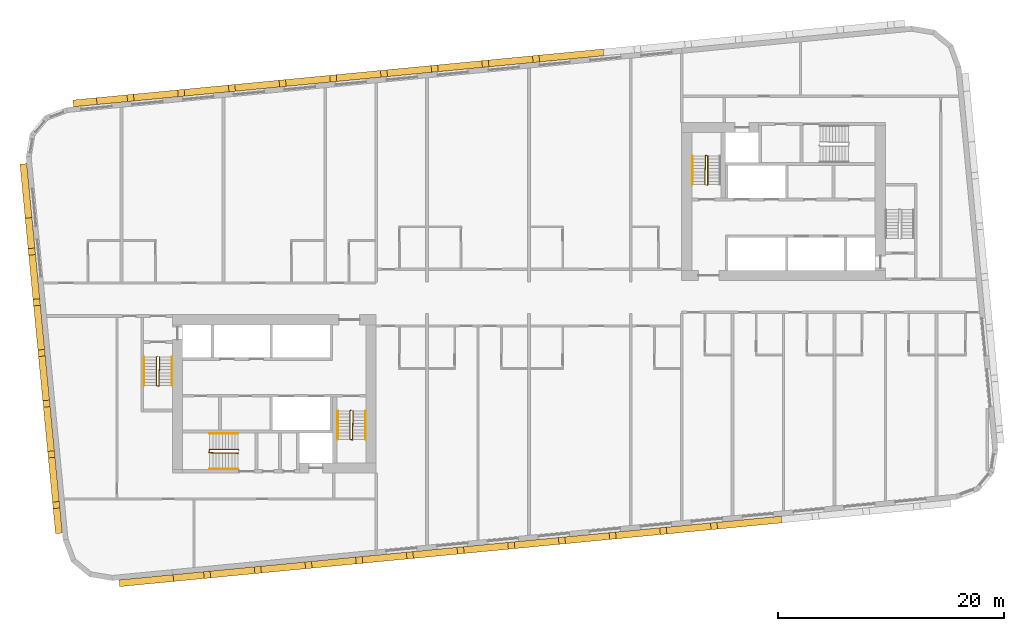
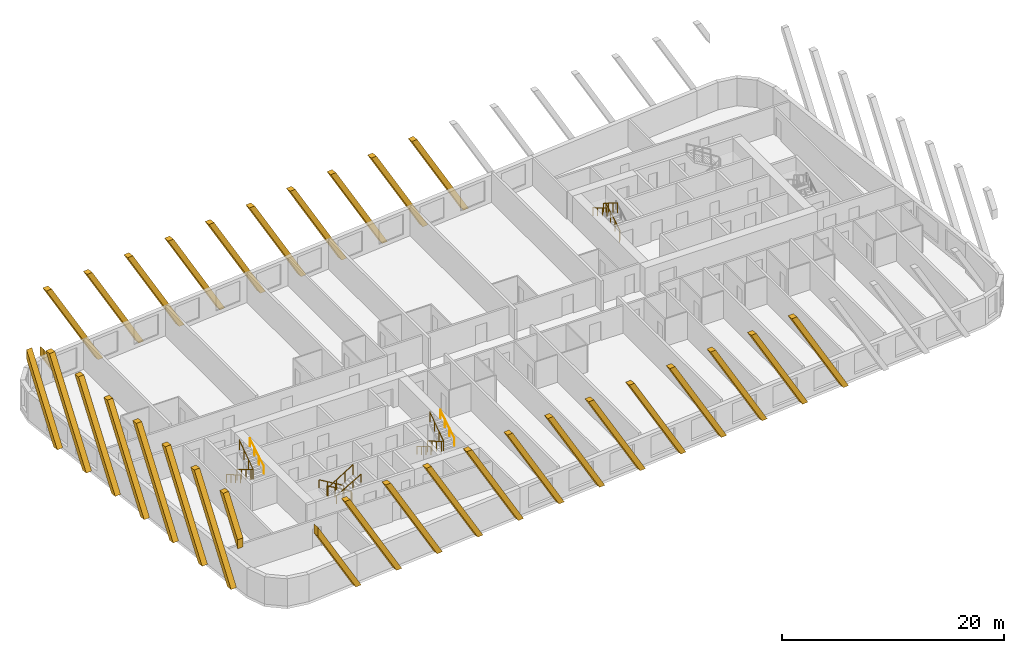
# One storey, part 12 of 13: 32 coverings, 11 railings.
"""IFC4 building model written with IfcOpenShell, lengths in metres."""

from ifc_helpers import new_model, si_unit, direction, frame, origin, origin_2d, place, context, subcontext, project, spatial, polyline, rectangle, circle, outline, extrude, material, material_profile, profile_set, type_object, element, save


model = new_model("IFC4")

# Units and contexts
model_context = context("Model", 3, precision=1e-05, world=origin(), true_north=direction((0.0, 1.0)))
body_context = subcontext(model_context, "Body", "Model", "MODEL_VIEW")
ifc_project = project(units=[si_unit("LENGTHUNIT", "METRE"), si_unit("AREAUNIT", "SQUARE_METRE"), si_unit("VOLUMEUNIT", "CUBIC_METRE"), si_unit("PLANEANGLEUNIT", "RADIAN"), si_unit("MASSUNIT", "GRAM", prefix="KILO")], contexts=[model_context])

# Site, building, storey
site_placement = place(None, origin())
site = spatial("IfcSite", under=ifc_project, at=site_placement, CompositionType="ELEMENT")
building_placement = place(site_placement, origin())
building = spatial("IfcBuilding", under=site, at=building_placement, Name="Kajstack Hotel Tower", CompositionType="ELEMENT")
storey_placement = place(building_placement, frame((0.0, 0.0, 186.699951171875)))
storey = spatial("IfcBuildingStorey", under=building, at=storey_placement, Name="L44", CompositionType="ELEMENT", Elevation=186.699951171875)

# Coverings
ifc_material_1 = material(Name="Terracotta", Category="masonry")
ifc_material_profile = material_profile(ifc_material_1, rectangle(XDim=0.60009765625, YDim=0.5, at=origin_2d()), Name="Terracotta-clad concrete baguette 500 x 600")
ifc_profile_set = profile_set([ifc_material_profile], Name="Terracotta")
covering_type = type_object("IfcCoveringType", Name="BAGUETTE 500x600", PredefinedType="CLADDING", material=ifc_profile_set)
covering_1_placement = place(storey_placement, frame((-44.380859375, 11.846923828125, 0.0), z_axis=(-0.995377661201, -0.096038073607, 0.0), x_axis=(0.096038073607, -0.995377661201, 0.0)))
element("IfcCovering", 1, at=covering_1_placement, inside=storey, type_object=covering_type, Name="Baguette L44-00-002", PredefinedType="CLADDING", context=body_context, shape_type="SweptSolid", body=[
    extrude(outline(polyline([(4.78857421875, 0.0), (0.0, 8.294189453125), (0.0, 7.294189453125), (4.21142578125, 0.0), (4.78857421875, 0.0)])), origin(), (0.0, 0.0, 1.0), 0.599853515625),
])
for number, where, z_axis, x_axis, name in (
    (2, (-44.09375, 8.864990234375, 0.0), (-0.995416482233, -0.095634862357, 0.0), (0.095634862357, -0.995416482233, 0.0), "Baguette L44-00-006"),
    (3, (-43.662353515625, 4.3857421875, 0.0), (-0.995416482233, -0.095634862357, 0.0), (0.095634862357, -0.995416482233, 0.0), "Baguette L44-00-010"),
    (4, (-43.231201171875, -0.093505859375, 0.0), (-0.995416482233, -0.095634862357, 0.0), (0.095634862357, -0.995416482233, 0.0), "Baguette L44-00-014"),
    (5, (-42.7998046875, -4.57275390625, 0.0), (-0.995377661201, -0.096038073607, 0.0), (0.096038073607, -0.995377661201, 0.0), "Baguette L44-00-018"),
):
    element("IfcCovering", number, at=place(storey_placement, frame(where, z_axis=z_axis, x_axis=x_axis)), inside=storey, type_object=covering_type, Name=name, PredefinedType="CLADDING", context=body_context, shape_type="SweptSolid", body=[
        extrude(outline(polyline([(0.0, 9.89990234375), (5.7158203125, 0.0), (6.293212890625, 0.0), (0.577392578125, 9.89990234375), (0.0, 9.89990234375)])), origin(), (0.0, 0.0, 1.0), 0.599853515625),
    ])
covering_2_placement = place(storey_placement, frame((-42.368408203125, -9.052001953125, 0.0), z_axis=(-0.995381412265, -0.095999188106, 0.0), x_axis=(0.095999188106, -0.995381412265, 0.0)))
element("IfcCovering", 6, at=covering_2_placement, inside=storey, type_object=covering_type, Name="Baguette L44-00-022", PredefinedType="CLADDING", context=body_context, shape_type="SweptSolid", body=[
    extrude(outline(polyline([(0.0, 9.89990234375), (5.7158203125, 0.0), (6.293212890625, 0.0), (0.577392578125, 9.89990234375), (0.0, 9.89990234375)])), origin(), (0.0, 0.0, 1.0), 0.60009765625),
])
covering_3_placement = place(storey_placement, frame((-41.937255859375, -13.53125, 0.0), z_axis=(-0.995377661201, -0.096038073607, 0.0), x_axis=(0.096038073607, -0.995377661201, 0.0)))
element("IfcCovering", 7, at=covering_3_placement, inside=storey, type_object=covering_type, Name="Baguette L44-00-026", PredefinedType="CLADDING", context=body_context, shape_type="SweptSolid", body=[
    extrude(outline(polyline([(0.0, 9.89990234375), (5.7158203125, 0.0), (6.293212890625, 0.0), (0.577392578125, 9.89990234375), (0.0, 9.89990234375)])), origin(), (0.0, 0.0, 1.0), 0.599853515625),
])
covering_4_placement = place(storey_placement, frame((-41.505859375, -18.0107421875, 0.0), z_axis=(-0.995416482233, -0.095634862357, 0.0), x_axis=(0.095634862357, -0.995416482233, 0.0)))
element("IfcCovering", 8, at=covering_4_placement, inside=storey, type_object=covering_type, Name="Baguette L44-00-030", PredefinedType="CLADDING", context=body_context, shape_type="SweptSolid", body=[
    extrude(outline(polyline([(0.0, 9.89990234375), (2.804443359375, 5.042724609375), (2.804443359375, 6.042724609375), (0.577392578125, 9.89990234375), (0.0, 9.89990234375)])), origin(), (0.0, 0.0, 1.0), 0.599853515625),
])
covering_5_placement = place(storey_placement, frame((-36.21728515625, -24.93994140625, 0.0), z_axis=(0.095634862357, -0.995416482233, 0.0), x_axis=(0.995416482233, 0.095634862357, 0.0)))
element("IfcCovering", 9, at=covering_5_placement, inside=storey, type_object=covering_type, Name="Baguette L44-04-002", PredefinedType="CLADDING", context=body_context, shape_type="SweptSolid", body=[
    extrude(outline(polyline([(4.78857421875, 0.0), (0.0, 8.294189453125), (0.0, 7.294189453125), (4.21142578125, 0.0), (4.78857421875, 0.0)])), origin(), (0.0, 0.0, 1.0), 0.599853515625),
])
for number, where, z_axis, x_axis, name in (
    (10, (-33.235595703125, -24.65283203125, 0.0), (0.096038073607, -0.995377661201, 0.0), (0.995377661201, 0.096038073607, 0.0), "Baguette L44-04-006"),
    (11, (-28.75634765625, -24.2216796875, 0.0), (0.096038073607, -0.995377661201, 0.0), (0.995377661201, 0.096038073607, 0.0), "Baguette L44-04-010"),
    (12, (-24.277099609375, -23.790283203125, 0.0), (0.096038073607, -0.995377661201, 0.0), (0.995377661201, 0.096038073607, 0.0), "Baguette L44-04-014"),
):
    element("IfcCovering", number, at=place(storey_placement, frame(where, z_axis=z_axis, x_axis=x_axis)), inside=storey, type_object=covering_type, Name=name, PredefinedType="CLADDING", context=body_context, shape_type="SweptSolid", body=[
        extrude(outline(polyline([(0.0, 9.89990234375), (5.7158203125, 0.0), (6.293212890625, 0.0), (0.577392578125, 9.89990234375), (0.0, 9.89990234375)])), origin(), (0.0, 0.0, 1.0), 0.599853515625),
    ])
covering_6_placement = place(storey_placement, frame((-19.7978515625, -23.35888671875, 0.0), z_axis=(0.095999188106, -0.995381412265, 0.0), x_axis=(0.995381412265, 0.095999188106, 0.0)))
element("IfcCovering", 13, at=covering_6_placement, inside=storey, type_object=covering_type, Name="Baguette L44-04-018", PredefinedType="CLADDING", context=body_context, shape_type="SweptSolid", body=[
    extrude(outline(polyline([(0.0, 9.89990234375), (5.7158203125, 0.0), (6.293212890625, 0.0), (0.577392578125, 9.89990234375), (0.0, 9.89990234375)])), origin(), (0.0, 0.0, 1.0), 0.60009765625),
])
for number, where, z_axis, x_axis, name in (
    (14, (-15.318359375, -22.927734375, 0.0), (0.095634862357, -0.995416482233, 0.0), (0.995416482233, 0.095634862357, 0.0), "Baguette L44-04-022"),
    (15, (-10.839111328125, -22.496337890625, 0.0), (0.095634862357, -0.995416482233, 0.0), (0.995416482233, 0.095634862357, 0.0), "Baguette L44-04-026"),
):
    element("IfcCovering", number, at=place(storey_placement, frame(where, z_axis=z_axis, x_axis=x_axis)), inside=storey, type_object=covering_type, Name=name, PredefinedType="CLADDING", context=body_context, shape_type="SweptSolid", body=[
        extrude(outline(polyline([(0.0, 9.89990234375), (5.7158203125, 0.0), (6.293212890625, 0.0), (0.577392578125, 9.89990234375), (0.0, 9.89990234375)])), origin(), (0.0, 0.0, 1.0), 0.599853515625),
    ])
covering_7_placement = place(storey_placement, frame((-6.35986328125, -22.06494140625, 0.0), z_axis=(0.095596137095, -0.995420202011, 0.0), x_axis=(0.995420202011, 0.095596137095, 0.0)))
element("IfcCovering", 16, at=covering_7_placement, inside=storey, type_object=covering_type, Name="Baguette L44-04-030", PredefinedType="CLADDING", context=body_context, shape_type="SweptSolid", body=[
    extrude(outline(polyline([(0.0, 9.89990234375), (5.7158203125, 0.0), (6.293212890625, 0.0), (0.577392578125, 9.89990234375), (0.0, 9.89990234375)])), origin(), (0.0, 0.0, 1.0), 0.60009765625),
])
covering_8_placement = place(storey_placement, frame((-1.880615234375, -21.6337890625, 0.0), z_axis=(0.096038073607, -0.995377661201, 0.0), x_axis=(0.995377661201, 0.096038073607, 0.0)))
element("IfcCovering", 17, at=covering_8_placement, inside=storey, type_object=covering_type, Name="Baguette L44-04-034", PredefinedType="CLADDING", context=body_context, shape_type="SweptSolid", body=[
    extrude(outline(polyline([(0.0, 9.89990234375), (5.7158203125, 0.0), (6.293212890625, 0.0), (0.577392578125, 9.89990234375), (0.0, 9.89990234375)])), origin(), (0.0, 0.0, 1.0), 0.599853515625),
])
covering_9_placement = place(storey_placement, frame((2.5986328125, -21.202392578125, 0.0), z_axis=(0.095999188106, -0.995381412265, 0.0), x_axis=(0.995381412265, 0.095999188106, 0.0)))
element("IfcCovering", 18, at=covering_9_placement, inside=storey, type_object=covering_type, Name="Baguette L44-04-038", PredefinedType="CLADDING", context=body_context, shape_type="SweptSolid", body=[
    extrude(outline(polyline([(0.0, 9.89990234375), (5.7158203125, 0.0), (6.293212890625, 0.0), (0.577392578125, 9.89990234375), (0.0, 9.89990234375)])), origin(), (0.0, 0.0, 1.0), 0.60009765625),
])
for number, where, z_axis, x_axis, name in (
    (19, (7.077880859375, -20.771240234375, 0.0), (0.096038073607, -0.995377661201, 0.0), (0.995377661201, 0.096038073607, 0.0), "Baguette L44-04-042"),
    (20, (11.55712890625, -20.33984375, 0.0), (0.096038073607, -0.995377661201, 0.0), (0.995377661201, 0.096038073607, 0.0), "Baguette L44-04-046"),
):
    element("IfcCovering", number, at=place(storey_placement, frame(where, z_axis=z_axis, x_axis=x_axis)), inside=storey, type_object=covering_type, Name=name, PredefinedType="CLADDING", context=body_context, shape_type="SweptSolid", body=[
        extrude(outline(polyline([(0.0, 9.89990234375), (5.7158203125, 0.0), (6.293212890625, 0.0), (0.577392578125, 9.89990234375), (0.0, 9.89990234375)])), origin(), (0.0, 0.0, 1.0), 0.599853515625),
    ])
covering_10_placement = place(storey_placement, frame((16.03662109375, -19.908447265625, 0.0), z_axis=(0.095596137095, -0.995420202011, 0.0), x_axis=(0.995420202011, 0.095596137095, 0.0)))
element("IfcCovering", 21, at=covering_10_placement, inside=storey, type_object=covering_type, Name="Baguette L44-04-050", PredefinedType="CLADDING", context=body_context, shape_type="SweptSolid", body=[
    extrude(outline(polyline([(0.0, 9.89990234375), (5.7158203125, 0.0), (6.293212890625, 0.0), (0.577392578125, 9.89990234375), (0.0, 9.89990234375)])), origin(), (0.0, 0.0, 1.0), 0.60009765625),
])
for number, where, z_axis, x_axis, name in (
    (22, (6.62890625, 21.3798828125, 0.0), (-0.095634862357, 0.995416482233, 0.0), (-0.995416482233, -0.095634862357, 0.0), "Baguette L44-12-030"),
    (23, (2.149658203125, 20.948486328125, 0.0), (-0.095634862357, 0.995416482233, 0.0), (-0.995416482233, -0.095634862357, 0.0), "Baguette L44-12-034"),
    (24, (-2.32958984375, 20.517333984375, 0.0), (-0.095634862357, 0.995416482233, 0.0), (-0.995416482233, -0.095634862357, 0.0), "Baguette L44-12-038"),
    (25, (-6.808837890625, 20.0859375, 0.0), (-0.096038073607, 0.995377661201, 0.0), (-0.995377661201, -0.096038073607, 0.0), "Baguette L44-12-042"),
):
    element("IfcCovering", number, at=place(storey_placement, frame(where, z_axis=z_axis, x_axis=x_axis)), inside=storey, type_object=covering_type, Name=name, PredefinedType="CLADDING", context=body_context, shape_type="SweptSolid", body=[
        extrude(outline(polyline([(5.7158203125, 9.89990234375), (0.0, 0.0), (0.577392578125, 0.0), (6.293212890625, 9.89990234375), (5.7158203125, 9.89990234375)])), origin(), (0.0, 0.0, 1.0), 0.599853515625),
    ])
covering_11_placement = place(storey_placement, frame((-11.2880859375, 19.654541015625, 0.0), z_axis=(-0.095999188106, 0.995381412265, 0.0), x_axis=(-0.995381412265, -0.095999188106, 0.0)))
element("IfcCovering", 26, at=covering_11_placement, inside=storey, type_object=covering_type, Name="Baguette L44-12-046", PredefinedType="CLADDING", context=body_context, shape_type="SweptSolid", body=[
    extrude(outline(polyline([(5.7158203125, 9.89990234375), (0.0, 0.0), (0.577392578125, 0.0), (6.293212890625, 9.89990234375), (5.7158203125, 9.89990234375)])), origin(), (0.0, 0.0, 1.0), 0.60009765625),
])
for number, where, z_axis, x_axis, name in (
    (27, (-15.767333984375, 19.223388671875, 0.0), (-0.096038073607, 0.995377661201, 0.0), (-0.995377661201, -0.096038073607, 0.0), "Baguette L44-12-050"),
    (28, (-20.24658203125, 18.7919921875, 0.0), (-0.096038073607, 0.995377661201, 0.0), (-0.995377661201, -0.096038073607, 0.0), "Baguette L44-12-054"),
):
    element("IfcCovering", number, at=place(storey_placement, frame(where, z_axis=z_axis, x_axis=x_axis)), inside=storey, type_object=covering_type, Name=name, PredefinedType="CLADDING", context=body_context, shape_type="SweptSolid", body=[
        extrude(outline(polyline([(5.7158203125, 9.89990234375), (0.0, 0.0), (0.577392578125, 0.0), (6.293212890625, 9.89990234375), (5.7158203125, 9.89990234375)])), origin(), (0.0, 0.0, 1.0), 0.599853515625),
    ])
covering_12_placement = place(storey_placement, frame((-24.72607421875, 18.360595703125, 0.0), z_axis=(-0.095596137095, 0.995420202011, 0.0), x_axis=(-0.995420202011, -0.095596137095, 0.0)))
element("IfcCovering", 29, at=covering_12_placement, inside=storey, type_object=covering_type, Name="Baguette L44-12-058", PredefinedType="CLADDING", context=body_context, shape_type="SweptSolid", body=[
    extrude(outline(polyline([(5.7158203125, 9.89990234375), (0.0, 0.0), (0.577392578125, 0.0), (6.293212890625, 9.89990234375), (5.7158203125, 9.89990234375)])), origin(), (0.0, 0.0, 1.0), 0.60009765625),
])
covering_13_placement = place(storey_placement, frame((-29.205322265625, 17.929443359375, 0.0), z_axis=(-0.095634862357, 0.995416482233, 0.0), x_axis=(-0.995416482233, -0.095634862357, 0.0)))
element("IfcCovering", 30, at=covering_13_placement, inside=storey, type_object=covering_type, Name="Baguette L44-12-062", PredefinedType="CLADDING", context=body_context, shape_type="SweptSolid", body=[
    extrude(outline(polyline([(5.7158203125, 9.89990234375), (0.0, 0.0), (0.577392578125, 0.0), (6.293212890625, 9.89990234375), (5.7158203125, 9.89990234375)])), origin(), (0.0, 0.0, 1.0), 0.599853515625),
])
covering_14_placement = place(storey_placement, frame((-33.6845703125, 17.498046875, 0.0), z_axis=(-0.095596137095, 0.995420202011, 0.0), x_axis=(-0.995420202011, -0.095596137095, 0.0)))
element("IfcCovering", 31, at=covering_14_placement, inside=storey, type_object=covering_type, Name="Baguette L44-12-066", PredefinedType="CLADDING", context=body_context, shape_type="SweptSolid", body=[
    extrude(outline(polyline([(5.7158203125, 9.89990234375), (0.0, 0.0), (0.577392578125, 0.0), (6.293212890625, 9.89990234375), (5.7158203125, 9.89990234375)])), origin(), (0.0, 0.0, 1.0), 0.60009765625),
])
covering_15_placement = place(storey_placement, frame((-38.163818359375, 17.06689453125, 0.0), z_axis=(-0.095634862357, 0.995416482233, 0.0), x_axis=(-0.995416482233, -0.095634862357, 0.0)))
element("IfcCovering", 32, at=covering_15_placement, inside=storey, type_object=covering_type, Name="Baguette L44-12-070", PredefinedType="CLADDING", context=body_context, shape_type="SweptSolid", body=[
    extrude(outline(polyline([(0.577392578125, 0.0), (2.088623046875, 2.61767578125), (2.088623046875, 3.61767578125), (0.0, 0.0), (0.577392578125, 0.0)])), origin(), (0.0, 0.0, 1.0), 0.599853515625),
])

# Railings
ifc_material_2 = material(Name="Steel S355J2", Category="steel")
railing_type_1 = type_object("IfcRailingType", Name="Stair guard 1100", PredefinedType="GUARDRAIL", material=ifc_material_2)
railing_1_placement = place(storey_placement, frame((-32.85009765625, -5.199951171875, 0.0)))
element("IfcRailing", 33, at=railing_1_placement, inside=storey, type_object=railing_type_1, Name="L44 W1 stair guard 1", PredefinedType="GUARDRAIL", context=body_context, shape_type="SweptSolid", body=[
    extrude(circle(Radius=0.02392578125, at=origin_2d()), frame((0.0, 0.0, 1.076171875), z_axis=(-0.277450376394, -0.278810427259, 0.919394384522), x_axis=(0.708833529934, -0.705375805398, 0.0)), (0.0, 0.0, 1.0), 0.179443359375),
    extrude(circle(Radius=0.02392578125, at=origin_2d()), frame((-0.0498046875, -0.050048828125, 1.2412109375), z_axis=(0.0, -0.86152411907, 0.507716645641), x_axis=(1.0, 0.0, 0.0)), (0.0, 0.0, 1.0), 2.925048828125),
    extrude(circle(Radius=0.02392578125, at=origin_2d()), frame((-0.0498046875, -2.570068359375, 2.72607421875), z_axis=(0.970072785993, -0.242814311512, 0.0), x_axis=(0.242814311512, 0.970072785993, 0.0)), (0.0, 0.0, 1.0), 0.2060546875),
    extrude(circle(Radius=0.02392578125, at=origin_2d()), frame((0.150146484375, -2.6201171875, 2.72607421875), z_axis=(0.016385308676, 0.841405582595, 0.540155687962), x_axis=(-0.999810440751, 0.019470042781, 0.0)), (0.0, 0.0, 1.0), 3.054443359375),
    extrude(circle(Radius=0.02099609375, at=origin_2d()), origin(), (0.0, 0.0, 1.0), 1.052001953125),
    extrude(circle(Radius=0.02099609375, at=origin_2d()), frame((-0.0498046875, -0.050048828125, 0.1650390625)), (0.0, 0.0, 1.0), 1.052001953125),
    extrude(circle(Radius=0.02099609375, at=origin_2d()), frame((-0.0498046875, -0.89013671875, 0.66015625)), (0.0, 0.0, 1.0), 1.052001953125),
    extrude(circle(Radius=0.02099609375, at=origin_2d()), frame((-0.0498046875, -1.72998046875, 1.155029296875)), (0.0, 0.0, 1.0), 1.052001953125),
    extrude(circle(Radius=0.02099609375, at=origin_2d()), frame((-0.0498046875, -2.570068359375, 1.650146484375)), (0.0, 0.0, 1.0), 1.052001953125),
    extrude(circle(Radius=0.02099609375, at=origin_2d()), frame((0.150146484375, -2.6201171875, 1.650146484375)), (0.0, 0.0, 1.0), 1.052001953125),
    extrude(circle(Radius=0.02099609375, at=origin_2d()), frame((0.166748046875, -1.763427734375, 2.2001953125)), (0.0, 0.0, 1.0), 1.052001953125),
    extrude(circle(Radius=0.02099609375, at=origin_2d()), frame((0.18359375, -0.90673828125, 2.75)), (0.0, 0.0, 1.0), 1.052001953125),
    extrude(circle(Radius=0.02099609375, at=origin_2d()), frame((0.2001953125, -0.050048828125, 3.300048828125)), (0.0, 0.0, 1.0), 1.052001953125),
])
railing_2_placement = place(storey_placement, frame((-15.75, -9.949951171875, 0.0)))
element("IfcRailing", 34, at=railing_2_placement, inside=storey, type_object=railing_type_1, Name="L44 W2 stair guard 1", PredefinedType="GUARDRAIL", context=body_context, shape_type="SweptSolid", body=[
    extrude(circle(Radius=0.02392578125, at=origin_2d()), frame((0.0, 0.0, 1.076171875), z_axis=(-0.278705021027, -0.278705021027, 0.919046801044), x_axis=(0.707106781187, -0.707106781187, 0.0)), (0.0, 0.0, 1.0), 0.1796875),
    extrude(circle(Radius=0.02392578125, at=origin_2d()), frame((-0.050048828125, -0.050048828125, 1.2412109375), z_axis=(0.0, -0.86152411907, 0.507716645641), x_axis=(1.0, 0.0, 0.0)), (0.0, 0.0, 1.0), 2.925048828125),
    extrude(circle(Radius=0.02392578125, at=origin_2d()), frame((-0.050048828125, -2.570068359375, 2.72607421875), z_axis=(0.970072785993, -0.242814311512, 0.0), x_axis=(0.242814311512, 0.970072785993, 0.0)), (0.0, 0.0, 1.0), 0.2060546875),
    extrude(circle(Radius=0.02392578125, at=origin_2d()), frame((0.14990234375, -2.6201171875, 2.72607421875), z_axis=(0.016385308676, 0.841405582595, 0.540155687962), x_axis=(-0.999810440751, 0.019470042781, 0.0)), (0.0, 0.0, 1.0), 3.054443359375),
    extrude(circle(Radius=0.02099609375, at=origin_2d()), origin(), (0.0, 0.0, 1.0), 1.052001953125),
    extrude(circle(Radius=0.02099609375, at=origin_2d()), frame((-0.050048828125, -0.050048828125, 0.1650390625)), (0.0, 0.0, 1.0), 1.052001953125),
    extrude(circle(Radius=0.02099609375, at=origin_2d()), frame((-0.050048828125, -0.89013671875, 0.66015625)), (0.0, 0.0, 1.0), 1.052001953125),
    extrude(circle(Radius=0.02099609375, at=origin_2d()), frame((-0.050048828125, -1.72998046875, 1.155029296875)), (0.0, 0.0, 1.0), 1.052001953125),
    extrude(circle(Radius=0.02099609375, at=origin_2d()), frame((-0.050048828125, -2.570068359375, 1.650146484375)), (0.0, 0.0, 1.0), 1.052001953125),
    extrude(circle(Radius=0.02099609375, at=origin_2d()), frame((0.14990234375, -2.6201171875, 1.650146484375)), (0.0, 0.0, 1.0), 1.052001953125),
    extrude(circle(Radius=0.02099609375, at=origin_2d()), frame((0.16650390625, -1.763427734375, 2.2001953125)), (0.0, 0.0, 1.0), 1.052001953125),
    extrude(circle(Radius=0.02099609375, at=origin_2d()), frame((0.183349609375, -0.90673828125, 2.75)), (0.0, 0.0, 1.0), 1.052001953125),
    extrude(circle(Radius=0.02099609375, at=origin_2d()), frame((0.199951171875, -0.050048828125, 3.300048828125)), (0.0, 0.0, 1.0), 1.052001953125),
])
railing_3_placement = place(storey_placement, frame((-25.64990234375, -13.449951171875, 0.0)))
element("IfcRailing", 35, at=railing_3_placement, inside=storey, type_object=railing_type_1, Name="L44 W3 stair guard 1", PredefinedType="GUARDRAIL", context=body_context, shape_type="SweptSolid", body=[
    extrude(circle(Radius=0.02392578125, at=origin_2d()), frame((0.0, 0.0, 1.076171875), z_axis=(-0.278705021027, 0.278705021027, 0.919046801044), x_axis=(-0.707106781187, -0.707106781187, 0.0)), (0.0, 0.0, 1.0), 0.1796875),
    extrude(circle(Radius=0.02392578125, at=origin_2d()), frame((-0.050048828125, 0.050048828125, 1.2412109375), z_axis=(-0.86152411907, 0.0, 0.507716645641), x_axis=(0.0, -1.0, 0.0)), (0.0, 0.0, 1.0), 2.925048828125),
    extrude(circle(Radius=0.02392578125, at=origin_2d()), frame((-2.570068359375, 0.050048828125, 2.72607421875), z_axis=(-0.164529134168, -0.986372223864, 0.0), x_axis=(0.986372223864, -0.164529134168, 0.0)), (0.0, 0.0, 1.0), 0.30419921875),
    extrude(circle(Radius=0.02392578125, at=origin_2d()), frame((-2.6201171875, -0.25, 2.72607421875), z_axis=(0.841405582595, -0.016385308676, 0.540155687962), x_axis=(0.019470042781, 0.999810440751, 0.0)), (0.0, 0.0, 1.0), 3.054443359375),
    extrude(circle(Radius=0.02099609375, at=origin_2d()), origin(), (0.0, 0.0, 1.0), 1.052001953125),
    extrude(circle(Radius=0.02099609375, at=origin_2d()), frame((-0.050048828125, 0.050048828125, 0.1650390625)), (0.0, 0.0, 1.0), 1.052001953125),
    extrude(circle(Radius=0.02099609375, at=origin_2d()), frame((-0.89013671875, 0.050048828125, 0.66015625)), (0.0, 0.0, 1.0), 1.052001953125),
    extrude(circle(Radius=0.02099609375, at=origin_2d()), frame((-1.72998046875, 0.050048828125, 1.155029296875)), (0.0, 0.0, 1.0), 1.052001953125),
    extrude(circle(Radius=0.02099609375, at=origin_2d()), frame((-2.570068359375, 0.050048828125, 1.650146484375)), (0.0, 0.0, 1.0), 1.052001953125),
    extrude(circle(Radius=0.02099609375, at=origin_2d()), frame((-2.6201171875, -0.25, 1.650146484375)), (0.0, 0.0, 1.0), 1.052001953125),
    extrude(circle(Radius=0.02099609375, at=origin_2d()), frame((-1.763427734375, -0.2666015625, 2.2001953125)), (0.0, 0.0, 1.0), 1.052001953125),
    extrude(circle(Radius=0.02099609375, at=origin_2d()), frame((-0.90673828125, -0.283447265625, 2.75)), (0.0, 0.0, 1.0), 1.052001953125),
    extrude(circle(Radius=0.02099609375, at=origin_2d()), frame((-0.050048828125, -0.300048828125, 3.300048828125)), (0.0, 0.0, 1.0), 1.052001953125),
])
railing_4_placement = place(storey_placement, frame((15.75, 9.949951171875, 0.0)))
element("IfcRailing", 36, at=railing_4_placement, inside=storey, type_object=railing_type_1, Name="L44 E2 stair guard 1", PredefinedType="GUARDRAIL", context=body_context, shape_type="SweptSolid", body=[
    extrude(circle(Radius=0.02392578125, at=origin_2d()), frame((0.0, 0.0, 1.076171875), z_axis=(0.278705021027, 0.278705021027, 0.919046801044), x_axis=(-0.707106781187, 0.707106781187, 0.0)), (0.0, 0.0, 1.0), 0.1796875),
    extrude(circle(Radius=0.02392578125, at=origin_2d()), frame((0.050048828125, 0.050048828125, 1.2412109375), z_axis=(0.0, 0.86152411907, 0.507716645641), x_axis=(-1.0, 0.0, 0.0)), (0.0, 0.0, 1.0), 2.925048828125),
    extrude(circle(Radius=0.02392578125, at=origin_2d()), frame((0.050048828125, 2.570068359375, 2.72607421875), z_axis=(-0.970072785993, 0.242814311512, 0.0), x_axis=(-0.242814311512, -0.970072785993, 0.0)), (0.0, 0.0, 1.0), 0.2060546875),
    extrude(circle(Radius=0.02392578125, at=origin_2d()), frame((-0.14990234375, 2.6201171875, 2.72607421875), z_axis=(-0.016385308676, -0.841405582595, 0.540155687962), x_axis=(0.999810440751, -0.019470042781, 0.0)), (0.0, 0.0, 1.0), 3.054443359375),
    extrude(circle(Radius=0.02099609375, at=origin_2d()), origin(), (0.0, 0.0, 1.0), 1.052001953125),
    extrude(circle(Radius=0.02099609375, at=origin_2d()), frame((0.050048828125, 0.050048828125, 0.1650390625)), (0.0, 0.0, 1.0), 1.052001953125),
    extrude(circle(Radius=0.02099609375, at=origin_2d()), frame((0.050048828125, 0.89013671875, 0.66015625)), (0.0, 0.0, 1.0), 1.052001953125),
    extrude(circle(Radius=0.02099609375, at=origin_2d()), frame((0.050048828125, 1.72998046875, 1.155029296875)), (0.0, 0.0, 1.0), 1.052001953125),
    extrude(circle(Radius=0.02099609375, at=origin_2d()), frame((0.050048828125, 2.570068359375, 1.650146484375)), (0.0, 0.0, 1.0), 1.052001953125),
    extrude(circle(Radius=0.02099609375, at=origin_2d()), frame((-0.14990234375, 2.6201171875, 1.650146484375)), (0.0, 0.0, 1.0), 1.052001953125),
    extrude(circle(Radius=0.02099609375, at=origin_2d()), frame((-0.16650390625, 1.763427734375, 2.2001953125)), (0.0, 0.0, 1.0), 1.052001953125),
    extrude(circle(Radius=0.02099609375, at=origin_2d()), frame((-0.183349609375, 0.90673828125, 2.75)), (0.0, 0.0, 1.0), 1.052001953125),
    extrude(circle(Radius=0.02099609375, at=origin_2d()), frame((-0.199951171875, 0.050048828125, 3.300048828125)), (0.0, 0.0, 1.0), 1.052001953125),
])
railing_type_2 = type_object("IfcRailingType", Name="Stair handrail 900", PredefinedType="HANDRAIL", material=ifc_material_2)
railing_5_placement = place(storey_placement, frame((-34.0, -5.25, 0.1650390625)))
element("IfcRailing", 37, at=railing_5_placement, inside=storey, type_object=railing_type_2, Name="L44 W1 stair handrail 1", PredefinedType="HANDRAIL", context=body_context, shape_type="SweptSolid", body=[
    extrude(circle(Radius=0.02392578125, at=origin_2d()), frame((0.0, 0.0, 0.8759765625), z_axis=(0.0, -0.86152411907, 0.507716645641), x_axis=(1.0, 0.0, 0.0)), (0.0, 0.0, 1.0), 2.925048828125),
    extrude(circle(Radius=0.02099609375, at=origin_2d()), origin(), (0.0, 0.0, 1.0), 0.851806640625),
    extrude(circle(Radius=0.02099609375, at=origin_2d()), frame((0.0, -0.840087890625, 0.4951171875)), (0.0, 0.0, 1.0), 0.851806640625),
    extrude(circle(Radius=0.02099609375, at=origin_2d()), frame((0.0, -1.679931640625, 0.989990234375)), (0.0, 0.0, 1.0), 0.851806640625),
    extrude(circle(Radius=0.02099609375, at=origin_2d()), frame((0.0, -2.52001953125, 1.485107421875)), (0.0, 0.0, 1.0), 0.851806640625),
])
railing_6_placement = place(storey_placement, frame((-31.550048828125, -7.77001953125, 1.81494140625)))
element("IfcRailing", 38, at=railing_6_placement, inside=storey, type_object=railing_type_2, Name="L44 W1 stair handrail 2", PredefinedType="HANDRAIL", context=body_context, shape_type="SweptSolid", body=[
    extrude(circle(Radius=0.02392578125, at=origin_2d()), frame((0.0, 0.0, 0.8759765625), z_axis=(0.0, 0.86152411907, 0.507716645641), x_axis=(-1.0, 0.0, 0.0)), (0.0, 0.0, 1.0), 2.925048828125),
    extrude(circle(Radius=0.02099609375, at=origin_2d()), origin(), (0.0, 0.0, 1.0), 0.851806640625),
    extrude(circle(Radius=0.02099609375, at=origin_2d()), frame((0.0, 0.840087890625, 0.4951171875)), (0.0, 0.0, 1.0), 0.851806640625),
    extrude(circle(Radius=0.02099609375, at=origin_2d()), frame((0.0, 1.679931640625, 0.989990234375)), (0.0, 0.0, 1.0), 0.851806640625),
    extrude(circle(Radius=0.02099609375, at=origin_2d()), frame((0.0, 2.52001953125, 1.485107421875)), (0.0, 0.0, 1.0), 0.851806640625),
])
railing_7_placement = place(storey_placement, frame((-16.89990234375, -10.0, 0.1650390625)))
element("IfcRailing", 39, at=railing_7_placement, inside=storey, type_object=railing_type_2, Name="L44 W2 stair handrail 1", PredefinedType="HANDRAIL", context=body_context, shape_type="SweptSolid", body=[
    extrude(circle(Radius=0.02392578125, at=origin_2d()), frame((0.0, 0.0, 0.8759765625), z_axis=(0.0, -0.86152411907, 0.507716645641), x_axis=(1.0, 0.0, 0.0)), (0.0, 0.0, 1.0), 2.925048828125),
    extrude(circle(Radius=0.02099609375, at=origin_2d()), origin(), (0.0, 0.0, 1.0), 0.851806640625),
    extrude(circle(Radius=0.02099609375, at=origin_2d()), frame((0.0, -0.840087890625, 0.4951171875)), (0.0, 0.0, 1.0), 0.851806640625),
    extrude(circle(Radius=0.02099609375, at=origin_2d()), frame((0.0, -1.679931640625, 0.989990234375)), (0.0, 0.0, 1.0), 0.851806640625),
    extrude(circle(Radius=0.02099609375, at=origin_2d()), frame((0.0, -2.52001953125, 1.485107421875)), (0.0, 0.0, 1.0), 0.851806640625),
])
railing_8_placement = place(storey_placement, frame((-14.449951171875, -12.52001953125, 1.81494140625)))
element("IfcRailing", 40, at=railing_8_placement, inside=storey, type_object=railing_type_2, Name="L44 W2 stair handrail 2", PredefinedType="HANDRAIL", context=body_context, shape_type="SweptSolid", body=[
    extrude(circle(Radius=0.02392578125, at=origin_2d()), frame((0.0, 0.0, 0.8759765625), z_axis=(0.0, 0.86152411907, 0.507716645641), x_axis=(-1.0, 0.0, 0.0)), (0.0, 0.0, 1.0), 2.925048828125),
    extrude(circle(Radius=0.02099609375, at=origin_2d()), origin(), (0.0, 0.0, 1.0), 0.851806640625),
    extrude(circle(Radius=0.02099609375, at=origin_2d()), frame((0.0, 0.840087890625, 0.4951171875)), (0.0, 0.0, 1.0), 0.851806640625),
    extrude(circle(Radius=0.02099609375, at=origin_2d()), frame((0.0, 1.679931640625, 0.989990234375)), (0.0, 0.0, 1.0), 0.851806640625),
    extrude(circle(Radius=0.02099609375, at=origin_2d()), frame((0.0, 2.52001953125, 1.485107421875)), (0.0, 0.0, 1.0), 0.851806640625),
])
railing_9_placement = place(storey_placement, frame((-25.699951171875, -12.0, 0.1650390625)))
element("IfcRailing", 41, at=railing_9_placement, inside=storey, type_object=railing_type_2, Name="L44 W3 stair handrail 1", PredefinedType="HANDRAIL", context=body_context, shape_type="SweptSolid", body=[
    extrude(circle(Radius=0.02392578125, at=origin_2d()), frame((0.0, 0.0, 0.8759765625), z_axis=(-0.86152411907, 0.0, 0.507716645641), x_axis=(0.0, -1.0, 0.0)), (0.0, 0.0, 1.0), 2.925048828125),
    extrude(circle(Radius=0.02099609375, at=origin_2d()), origin(), (0.0, 0.0, 1.0), 0.851806640625),
    extrude(circle(Radius=0.02099609375, at=origin_2d()), frame((-0.840087890625, 0.0, 0.4951171875)), (0.0, 0.0, 1.0), 0.851806640625),
    extrude(circle(Radius=0.02099609375, at=origin_2d()), frame((-1.679931640625, 0.0, 0.989990234375)), (0.0, 0.0, 1.0), 0.851806640625),
    extrude(circle(Radius=0.02099609375, at=origin_2d()), frame((-2.52001953125, 0.0, 1.485107421875)), (0.0, 0.0, 1.0), 0.851806640625),
])
railing_10_placement = place(storey_placement, frame((-28.219970703125, -15.14990234375, 1.81494140625)))
element("IfcRailing", 42, at=railing_10_placement, inside=storey, type_object=railing_type_2, Name="L44 W3 stair handrail 2", PredefinedType="HANDRAIL", context=body_context, shape_type="SweptSolid", body=[
    extrude(circle(Radius=0.02392578125, at=origin_2d()), frame((0.0, 0.0, 0.8759765625), z_axis=(0.86152411907, 0.0, 0.507716645641), x_axis=(0.0, 1.0, 0.0)), (0.0, 0.0, 1.0), 2.925048828125),
    extrude(circle(Radius=0.02099609375, at=origin_2d()), origin(), (0.0, 0.0, 1.0), 0.851806640625),
    extrude(circle(Radius=0.02099609375, at=origin_2d()), frame((0.840087890625, 0.0, 0.4951171875)), (0.0, 0.0, 1.0), 0.851806640625),
    extrude(circle(Radius=0.02099609375, at=origin_2d()), frame((1.679931640625, 0.0, 0.989990234375)), (0.0, 0.0, 1.0), 0.851806640625),
    extrude(circle(Radius=0.02099609375, at=origin_2d()), frame((2.52001953125, 0.0, 1.485107421875)), (0.0, 0.0, 1.0), 0.851806640625),
])
railing_11_placement = place(storey_placement, frame((14.449951171875, 12.52001953125, 1.81494140625)))
element("IfcRailing", 43, at=railing_11_placement, inside=storey, type_object=railing_type_2, Name="L44 E2 stair handrail 2", PredefinedType="HANDRAIL", context=body_context, shape_type="SweptSolid", body=[
    extrude(circle(Radius=0.02392578125, at=origin_2d()), frame((0.0, 0.0, 0.8759765625), z_axis=(0.0, -0.86152411907, 0.507716645641), x_axis=(1.0, 0.0, 0.0)), (0.0, 0.0, 1.0), 2.925048828125),
    extrude(circle(Radius=0.02099609375, at=origin_2d()), origin(), (0.0, 0.0, 1.0), 0.851806640625),
    extrude(circle(Radius=0.02099609375, at=origin_2d()), frame((0.0, -0.840087890625, 0.4951171875)), (0.0, 0.0, 1.0), 0.851806640625),
    extrude(circle(Radius=0.02099609375, at=origin_2d()), frame((0.0, -1.679931640625, 0.989990234375)), (0.0, 0.0, 1.0), 0.851806640625),
    extrude(circle(Radius=0.02099609375, at=origin_2d()), frame((0.0, -2.52001953125, 1.485107421875)), (0.0, 0.0, 1.0), 0.851806640625),
])

save(model, "model.ifc")
